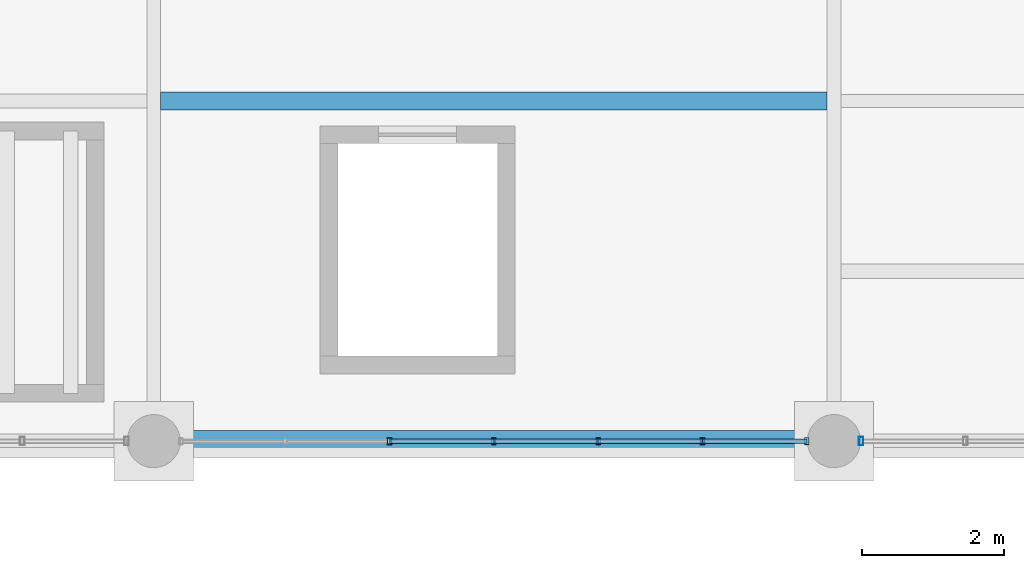
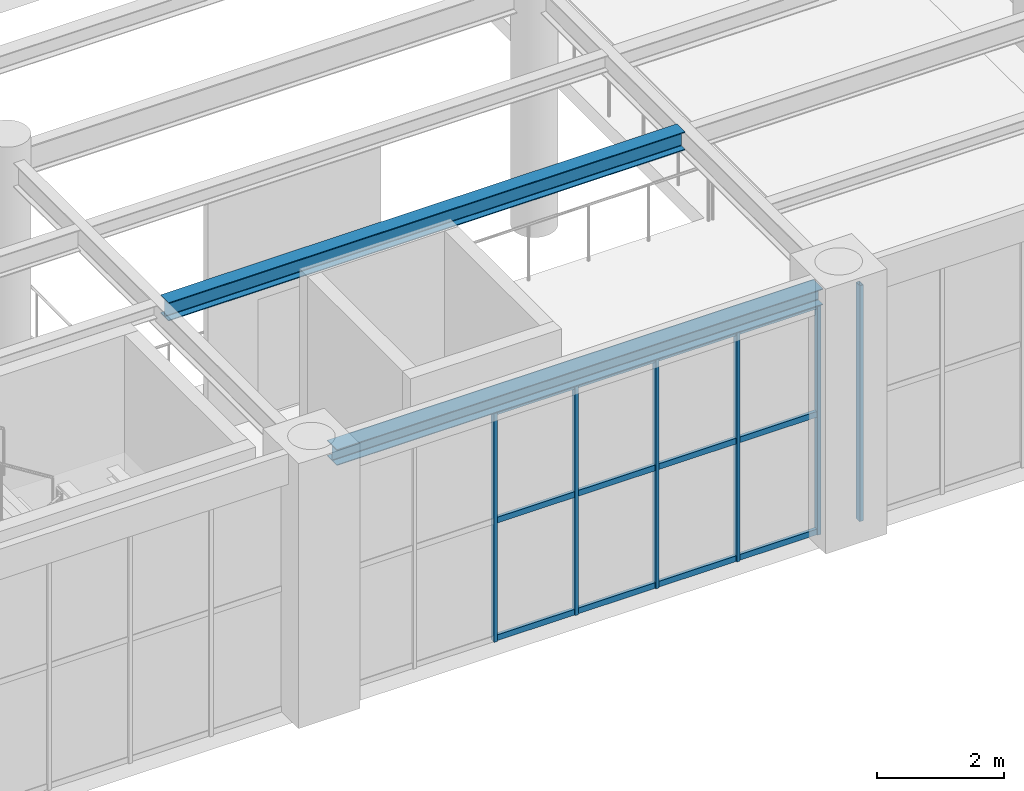
# One storey, part 34 of 174: 18 members, 2 beams, 2 elements without a shape of their own.
"""IFC4 building model written with IfcOpenShell, lengths in metres."""

from ifc_helpers import new_model, si_unit, direction, frame, origin, origin_2d, place, context, subcontext, project, spatial, hollow_rectangle, i_section, extrude, material, material_profile, profile_set, type_object, element, aggregate, save


model = new_model("IFC4")

# Units and contexts
model_context = context("Model", 3, precision=1e-05, world=origin(), true_north=direction((0.0, 1.0)))
body_context = subcontext(model_context, "Body", "Model", "MODEL_VIEW")
ifc_project = project(units=[si_unit("LENGTHUNIT", "METRE"), si_unit("AREAUNIT", "SQUARE_METRE"), si_unit("VOLUMEUNIT", "CUBIC_METRE"), si_unit("PLANEANGLEUNIT", "RADIAN"), si_unit("MASSUNIT", "GRAM", prefix="KILO")], contexts=[model_context])

# Site, building, storey
site_placement = place(None, origin())
site = spatial("IfcSite", under=ifc_project, at=site_placement, CompositionType="ELEMENT")
building_placement = place(site_placement, origin())
building = spatial("IfcBuilding", under=site, at=building_placement, Name="Mavantir Sound Aquarium", CompositionType="ELEMENT")
storey_placement = place(building_placement, frame((0.0, 0.0, 5.39990234375)))
storey = spatial("IfcBuildingStorey", under=building, at=storey_placement, Name="L01", CompositionType="ELEMENT", Elevation=5.39990234375)

# Beams
ifc_material_1 = material(Name="Structural Steel ASTM A992 Gr50", Category="steel")
ifc_material_profile_1 = material_profile(ifc_material_1, i_section(OverallWidth=0.304931640625, OverallDepth=0.30810546875, WebThickness=0.010009765625, FlangeThickness=0.015380859375, FilletRadius=0.014892578125, at=origin_2d()), Name="W310X97")
ifc_profile_set_1 = profile_set([ifc_material_profile_1], Name="Structural Steel ASTM A992 Gr50")
beam_type_1 = type_object("IfcBeamType", Name="BM-W310X97-E", PredefinedType="SPANDREL", material=ifc_profile_set_1)
beam_1_placement = place(storey_placement, frame((45.97509765625, 40.800048828125, 4.64208984375), z_axis=(1.0, 0.0, 0.0), x_axis=(0.0, 1.0, 0.0)))
element("IfcBeam", 1, at=beam_1_placement, inside=storey, type_object=beam_type_1, Name="L01 primary beam SS-31A 1183", PredefinedType="SPANDREL", context=body_context, shape_type="SweptSolid", body=[
    extrude(i_section(OverallWidth=0.304931640625, OverallDepth=0.30810546875, WebThickness=0.010009765625, FlangeThickness=0.015380859375, FilletRadius=0.014892578125, at=origin_2d()), origin(), (0.0, 0.0, 1.0), 8.849853515625),
])
ifc_material_profile_2 = material_profile(ifc_material_1, i_section(OverallWidth=0.25390625, OverallDepth=0.35302734375, WebThickness=0.009521484375, FlangeThickness=0.016357421875, FilletRadius=0.014892578125, at=origin_2d()), Name="W360X91")
ifc_profile_set_2 = profile_set([ifc_material_profile_2], Name="Structural Steel ASTM A992 Gr50")
beam_type_2 = type_object("IfcBeamType", Name="BM-W360X91-I", PredefinedType="JOIST", material=ifc_profile_set_2)
beam_2_placement = place(storey_placement, frame((45.697021484375, 45.60009765625, 4.61962890625), z_axis=(1.0, 0.0, 0.0), x_axis=(0.0, 1.0, 0.0)))
element("IfcBeam", 2, at=beam_2_placement, inside=storey, type_object=beam_type_2, Name="L01 secondary floor joist SJ-36 666", PredefinedType="JOIST", context=body_context, shape_type="SweptSolid", body=[
    extrude(i_section(OverallWidth=0.25390625, OverallDepth=0.35302734375, WebThickness=0.009521484375, FlangeThickness=0.016357421875, FilletRadius=0.014892578125, at=origin_2d()), origin(), (0.0, 0.0, 1.0), 9.406005859375),
])

# Curtain wall, members
ifc_material_2 = material(Name="Anodised Marine Aluminium and Low-E Glass", Category="aluminium")
curtain_wall_type_1 = type_object("IfcCurtainWallType", Name="CW-T17", PredefinedType="USERDEFINED", material=ifc_material_2)
curtain_wall_1_placement = place(storey_placement, origin())
curtain_wall_1 = element("IfcCurtainWall", 3, at=curtain_wall_1_placement, inside=storey, type_object=curtain_wall_type_1, Name="L01 unitised curtain wall CW-17 65", ObjectType="UNITISED GLAZING", PredefinedType="USERDEFINED")
ifc_material_3 = material(Name="Anodised Marine Aluminium 6063-T6", Category="aluminium")
ifc_material_profile_3 = material_profile(ifc_material_3, hollow_rectangle(XDim=0.06005859375, YDim=0.10009765625, WallThickness=0.00390625, at=origin_2d()), Name="ALU-MULLION-100X60")
ifc_profile_set_3 = profile_set([ifc_material_profile_3], Name="Anodised Marine Aluminium 6063-T6")
member_type_1 = type_object("IfcMemberType", Name="CW-MUL-100", PredefinedType="MULLION", material=ifc_profile_set_3)
member_1_placement = place(storey_placement, frame((48.927734375, 40.800048828125, 0.0), z_axis=(0.0, 0.0, 1.0), x_axis=(1.0, 0.0, 0.0)))
member_1 = element("IfcMember", 4, at=member_1_placement, type_object=member_type_1, Name="CW-L01-065 vertical mullion 3", PredefinedType="MULLION", context=body_context, shape_type="SweptSolid", body=[
    extrude(hollow_rectangle(XDim=0.06005859375, YDim=0.10009765625, WallThickness=0.00390625, at=origin_2d()), origin(), (0.0, 0.0, 1.0), 4.4580078125),
])
member_2_placement = place(storey_placement, frame((50.39990234375, 40.800048828125, 0.0), z_axis=(0.0, 0.0, 1.0), x_axis=(1.0, 0.0, 0.0)))
member_2 = element("IfcMember", 5, at=member_2_placement, type_object=member_type_1, Name="CW-L01-065 vertical mullion 4", PredefinedType="MULLION", context=body_context, shape_type="SweptSolid", body=[
    extrude(hollow_rectangle(XDim=0.06005859375, YDim=0.10009765625, WallThickness=0.00390625, at=origin_2d()), origin(), (0.0, 0.0, 1.0), 4.4580078125),
])
member_3_placement = place(storey_placement, frame((51.872314453125, 40.800048828125, 0.0), z_axis=(0.0, 0.0, 1.0), x_axis=(1.0, 0.0, 0.0)))
member_3 = element("IfcMember", 6, at=member_3_placement, type_object=member_type_1, Name="CW-L01-065 vertical mullion 5", PredefinedType="MULLION", context=body_context, shape_type="SweptSolid", body=[
    extrude(hollow_rectangle(XDim=0.06005859375, YDim=0.10009765625, WallThickness=0.00390625, at=origin_2d()), origin(), (0.0, 0.0, 1.0), 4.4580078125),
])
member_4_placement = place(storey_placement, frame((53.3447265625, 40.800048828125, 0.0), z_axis=(0.0, 0.0, 1.0), x_axis=(1.0, 0.0, 0.0)))
member_4 = element("IfcMember", 7, at=member_4_placement, type_object=member_type_1, Name="CW-L01-065 vertical mullion 6", PredefinedType="MULLION", context=body_context, shape_type="SweptSolid", body=[
    extrude(hollow_rectangle(XDim=0.06005859375, YDim=0.10009765625, WallThickness=0.00390625, at=origin_2d()), origin(), (0.0, 0.0, 1.0), 4.4580078125),
])
member_5_placement = place(storey_placement, frame((54.81689453125, 40.800048828125, 0.0), z_axis=(0.0, 0.0, 1.0), x_axis=(1.0, 0.0, 0.0)))
member_5 = element("IfcMember", 8, at=member_5_placement, type_object=member_type_1, Name="CW-L01-065 vertical mullion 7", PredefinedType="MULLION", context=body_context, shape_type="SweptSolid", body=[
    extrude(hollow_rectangle(XDim=0.06005859375, YDim=0.10009765625, WallThickness=0.00390625, at=origin_2d()), origin(), (0.0, 0.0, 1.0), 4.4580078125),
])

# Curtain wall, member
curtain_wall_type_2 = type_object("IfcCurtainWallType", Name="CW-T18", PredefinedType="USERDEFINED", material=ifc_material_2)
curtain_wall_2_placement = place(storey_placement, origin())
curtain_wall_2 = element("IfcCurtainWall", 9, at=curtain_wall_2_placement, inside=storey, type_object=curtain_wall_type_2, Name="L01 unitised curtain wall CW-18 66", ObjectType="UNITISED GLAZING", PredefinedType="USERDEFINED")
ifc_material_profile_4 = material_profile(ifc_material_3, hollow_rectangle(XDim=0.06494140625, YDim=0.1201171875, WallThickness=0.00390625, at=origin_2d()), Name="ALU-MULLION-120X65")
ifc_profile_set_4 = profile_set([ifc_material_profile_4], Name="Anodised Marine Aluminium 6063-T6")
member_type_2 = type_object("IfcMemberType", Name="CW-MUL-120", PredefinedType="MULLION", material=ifc_profile_set_4)
member_6_placement = place(storey_placement, frame((55.5830078125, 40.800048828125, 0.0), z_axis=(0.0, 0.0, 1.0), x_axis=(1.0, 0.0, 0.0)))
member_6 = element("IfcMember", 10, at=member_6_placement, type_object=member_type_2, Name="CW-L01-066 vertical mullion 1", PredefinedType="MULLION", context=body_context, shape_type="SweptSolid", body=[
    extrude(hollow_rectangle(XDim=0.06494140625, YDim=0.1201171875, WallThickness=0.00390625, at=origin_2d()), origin(), (0.0, 0.0, 1.0), 4.543212890625),
])
aggregate(curtain_wall_2, [member_6])

# Member
ifc_material_profile_5 = material_profile(ifc_material_3, hollow_rectangle(XDim=0.06005859375, YDim=0.110107421875, WallThickness=0.00390625, at=origin_2d()), Name="ALU-TRANSOM-110X60")
ifc_profile_set_5 = profile_set([ifc_material_profile_5], Name="Anodised Marine Aluminium 6063-T6")
member_type_3 = type_object("IfcMemberType", Name="CW-TRN-110", PredefinedType="USERDEFINED", material=ifc_profile_set_5)
member_7_placement = place(storey_placement, frame((48.927734375, 40.800048828125, 0.05517578125), z_axis=(1.0, 0.0, 0.0), x_axis=(0.0, 1.0, 0.0)))
member_7 = element("IfcMember", 11, at=member_7_placement, type_object=member_type_3, Name="CW-L01-065 transom 3.1", ObjectType="TRANSOM", PredefinedType="USERDEFINED", context=body_context, shape_type="SweptSolid", body=[
    extrude(hollow_rectangle(XDim=0.06005859375, YDim=0.110107421875, WallThickness=0.00390625, at=origin_2d()), origin(), (0.0, 0.0, 1.0), 1.47216796875),
])

member_8_placement = place(storey_placement, frame((48.927734375, 40.800048828125, 2.318359375), z_axis=(1.0, 0.0, 0.0), x_axis=(0.0, 1.0, 0.0)))
member_8 = element("IfcMember", 12, at=member_8_placement, type_object=member_type_3, Name="CW-L01-065 transom 3.2", ObjectType="TRANSOM", PredefinedType="USERDEFINED", context=body_context, shape_type="SweptSolid", body=[
    extrude(hollow_rectangle(XDim=0.06005859375, YDim=0.110107421875, WallThickness=0.00390625, at=origin_2d()), origin(), (0.0, 0.0, 1.0), 1.47216796875),
])

member_9_placement = place(storey_placement, frame((48.927734375, 40.800048828125, 4.403076171875), z_axis=(1.0, 0.0, 0.0), x_axis=(0.0, 1.0, 0.0)))
member_9 = element("IfcMember", 13, at=member_9_placement, type_object=member_type_3, Name="CW-L01-065 transom 3.3", ObjectType="TRANSOM", PredefinedType="USERDEFINED", context=body_context, shape_type="SweptSolid", body=[
    extrude(hollow_rectangle(XDim=0.06005859375, YDim=0.110107421875, WallThickness=0.00390625, at=origin_2d()), origin(), (0.0, 0.0, 1.0), 1.47216796875),
])

member_10_placement = place(storey_placement, frame((50.39990234375, 40.800048828125, 0.05517578125), z_axis=(1.0, 0.0, 0.0), x_axis=(0.0, 1.0, 0.0)))
member_10 = element("IfcMember", 14, at=member_10_placement, type_object=member_type_3, Name="CW-L01-065 transom 4.1", ObjectType="TRANSOM", PredefinedType="USERDEFINED", context=body_context, shape_type="SweptSolid", body=[
    extrude(hollow_rectangle(XDim=0.06005859375, YDim=0.110107421875, WallThickness=0.00390625, at=origin_2d()), origin(), (0.0, 0.0, 1.0), 1.472412109375),
])

member_11_placement = place(storey_placement, frame((50.39990234375, 40.800048828125, 2.318359375), z_axis=(1.0, 0.0, 0.0), x_axis=(0.0, 1.0, 0.0)))
member_11 = element("IfcMember", 15, at=member_11_placement, type_object=member_type_3, Name="CW-L01-065 transom 4.2", ObjectType="TRANSOM", PredefinedType="USERDEFINED", context=body_context, shape_type="SweptSolid", body=[
    extrude(hollow_rectangle(XDim=0.06005859375, YDim=0.110107421875, WallThickness=0.00390625, at=origin_2d()), origin(), (0.0, 0.0, 1.0), 1.472412109375),
])

member_12_placement = place(storey_placement, frame((50.39990234375, 40.800048828125, 4.403076171875), z_axis=(1.0, 0.0, 0.0), x_axis=(0.0, 1.0, 0.0)))
member_12 = element("IfcMember", 16, at=member_12_placement, type_object=member_type_3, Name="CW-L01-065 transom 4.3", ObjectType="TRANSOM", PredefinedType="USERDEFINED", context=body_context, shape_type="SweptSolid", body=[
    extrude(hollow_rectangle(XDim=0.06005859375, YDim=0.110107421875, WallThickness=0.00390625, at=origin_2d()), origin(), (0.0, 0.0, 1.0), 1.472412109375),
])

member_13_placement = place(storey_placement, frame((51.872314453125, 40.800048828125, 0.05517578125), z_axis=(1.0, 0.0, 0.0), x_axis=(0.0, 1.0, 0.0)))
member_13 = element("IfcMember", 17, at=member_13_placement, type_object=member_type_3, Name="CW-L01-065 transom 5.1", ObjectType="TRANSOM", PredefinedType="USERDEFINED", context=body_context, shape_type="SweptSolid", body=[
    extrude(hollow_rectangle(XDim=0.06005859375, YDim=0.110107421875, WallThickness=0.00390625, at=origin_2d()), origin(), (0.0, 0.0, 1.0), 1.472412109375),
])

member_14_placement = place(storey_placement, frame((51.872314453125, 40.800048828125, 2.318359375), z_axis=(1.0, 0.0, 0.0), x_axis=(0.0, 1.0, 0.0)))
member_14 = element("IfcMember", 18, at=member_14_placement, type_object=member_type_3, Name="CW-L01-065 transom 5.2", ObjectType="TRANSOM", PredefinedType="USERDEFINED", context=body_context, shape_type="SweptSolid", body=[
    extrude(hollow_rectangle(XDim=0.06005859375, YDim=0.110107421875, WallThickness=0.00390625, at=origin_2d()), origin(), (0.0, 0.0, 1.0), 1.472412109375),
])

member_15_placement = place(storey_placement, frame((51.872314453125, 40.800048828125, 4.403076171875), z_axis=(1.0, 0.0, 0.0), x_axis=(0.0, 1.0, 0.0)))
member_15 = element("IfcMember", 19, at=member_15_placement, type_object=member_type_3, Name="CW-L01-065 transom 5.3", ObjectType="TRANSOM", PredefinedType="USERDEFINED", context=body_context, shape_type="SweptSolid", body=[
    extrude(hollow_rectangle(XDim=0.06005859375, YDim=0.110107421875, WallThickness=0.00390625, at=origin_2d()), origin(), (0.0, 0.0, 1.0), 1.472412109375),
])

member_16_placement = place(storey_placement, frame((53.3447265625, 40.800048828125, 0.05517578125), z_axis=(1.0, 0.0, 0.0), x_axis=(0.0, 1.0, 0.0)))
member_16 = element("IfcMember", 20, at=member_16_placement, type_object=member_type_3, Name="CW-L01-065 transom 6.1", ObjectType="TRANSOM", PredefinedType="USERDEFINED", context=body_context, shape_type="SweptSolid", body=[
    extrude(hollow_rectangle(XDim=0.06005859375, YDim=0.110107421875, WallThickness=0.00390625, at=origin_2d()), origin(), (0.0, 0.0, 1.0), 1.47216796875),
])

member_17_placement = place(storey_placement, frame((53.3447265625, 40.800048828125, 2.318359375), z_axis=(1.0, 0.0, 0.0), x_axis=(0.0, 1.0, 0.0)))
member_17 = element("IfcMember", 21, at=member_17_placement, type_object=member_type_3, Name="CW-L01-065 transom 6.2", ObjectType="TRANSOM", PredefinedType="USERDEFINED", context=body_context, shape_type="SweptSolid", body=[
    extrude(hollow_rectangle(XDim=0.06005859375, YDim=0.110107421875, WallThickness=0.00390625, at=origin_2d()), origin(), (0.0, 0.0, 1.0), 1.47216796875),
])

member_18_placement = place(storey_placement, frame((53.3447265625, 40.800048828125, 4.403076171875), z_axis=(1.0, 0.0, 0.0), x_axis=(0.0, 1.0, 0.0)))
member_18 = element("IfcMember", 22, at=member_18_placement, type_object=member_type_3, Name="CW-L01-065 transom 6.3", ObjectType="TRANSOM", PredefinedType="USERDEFINED", context=body_context, shape_type="SweptSolid", body=[
    extrude(hollow_rectangle(XDim=0.06005859375, YDim=0.110107421875, WallThickness=0.00390625, at=origin_2d()), origin(), (0.0, 0.0, 1.0), 1.47216796875),
])

aggregate(curtain_wall_1, [member_1, member_2, member_3, member_4, member_5, member_7, member_8, member_9, member_10, member_11, member_12, member_13, member_14, member_15, member_16, member_17, member_18])

save(model, "model.ifc")
